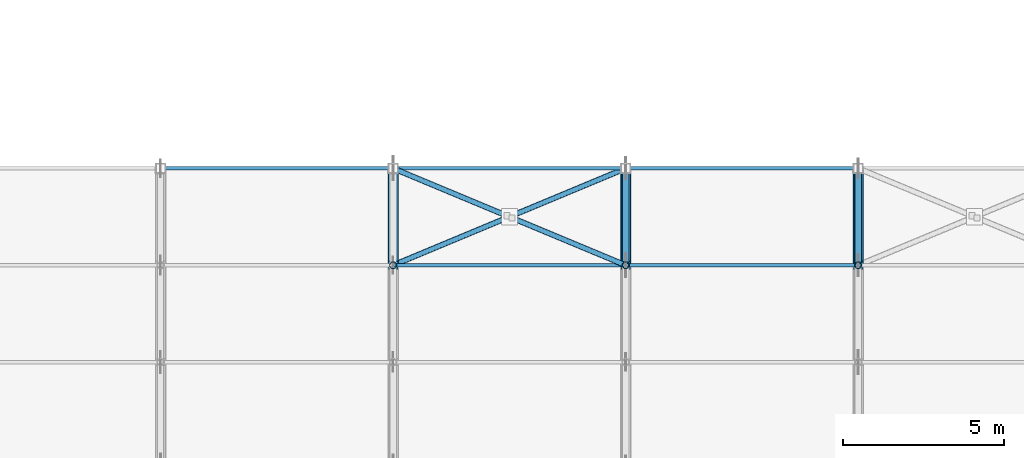
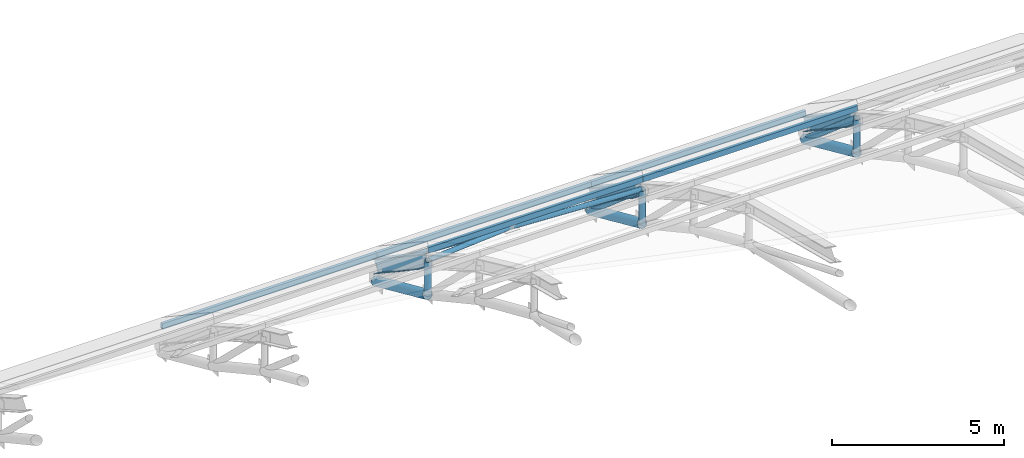
# One storey, part 25 of 63: 16 members, 3 beams.
"""IFC4 building model written with IfcOpenShell, lengths in metres."""

from ifc_helpers import new_model, si_unit, direction, frame, origin, origin_2d, place, context, subcontext, project, spatial, hollow_rectangle, hollow_circle, i_section, extrude, material, material_profile, profile_set, type_object, element, save


model = new_model("IFC4")

# Units and contexts
model_context = context("Model", 3, precision=1e-05, world=origin(), true_north=direction((0.0, 1.0)))
body_context = subcontext(model_context, "Body", "Model", "MODEL_VIEW")
ifc_project = project(units=[si_unit("LENGTHUNIT", "METRE"), si_unit("AREAUNIT", "SQUARE_METRE"), si_unit("VOLUMEUNIT", "CUBIC_METRE"), si_unit("PLANEANGLEUNIT", "RADIAN"), si_unit("MASSUNIT", "GRAM", prefix="KILO")], contexts=[model_context])

# Site, building, storey
site_placement = place(None, origin())
site = spatial("IfcSite", under=ifc_project, at=site_placement, CompositionType="ELEMENT")
building_placement = place(site_placement, origin())
building = spatial("IfcBuilding", under=site, at=building_placement, Name="Solvadek Multi-Sports Hall", CompositionType="ELEMENT")
storey_placement = place(building_placement, frame((0.0, 0.0, 19.199951171875)))
storey = spatial("IfcBuildingStorey", under=building, at=storey_placement, Name="RF", CompositionType="ELEMENT", Elevation=19.199951171875)

# Members
ifc_material_1 = material(Name="Steel E350 (350 MPa)", Category="steel")
ifc_material_profile_1 = material_profile(ifc_material_1, hollow_circle(Radius=0.084228515625, WallThickness=0.008056640625, at=origin_2d()), Name="CHS 168.3x8")
ifc_profile_set_1 = profile_set([ifc_material_profile_1], Name="Steel E350 (350 MPa)")
member_type_1 = type_object("IfcMemberType", Name="STR-BRC-CHS168", PredefinedType="BRACE", material=ifc_profile_set_1)
member_1_placement = place(storey_placement, frame((115.199951171875, 39.0, -1.545654296875), z_axis=(0.894028733366, 0.372514498511, -0.248888674542), x_axis=(-0.384617607118, 0.923075997031, 0.0)))
element("IfcMember", 1, at=member_1_placement, inside=storey, type_object=member_type_1, Name="V1 Roof Plan Brace #7", PredefinedType="BRACE", context=body_context, shape_type="SweptSolid", body=[
    extrude(hollow_circle(Radius=0.084228515625, WallThickness=0.008056640625, at=origin_2d()), origin(), (0.0, 0.0, 1.0), 8.053466796875),
])
member_2_placement = place(storey_placement, frame((115.199951171875, 42.0, -3.550048828125), z_axis=(0.894028850757, -0.372527532788, 0.248868743173), x_axis=(0.384629030944, 0.923071236988, 0.0)))
element("IfcMember", 2, at=member_2_placement, inside=storey, type_object=member_type_1, Name="V1 Roof Plan Half-Brace #8A", PredefinedType="BRACE", context=body_context, shape_type="SweptSolid", body=[
    extrude(hollow_circle(Radius=0.084228515625, WallThickness=0.008056640625, at=origin_2d()), origin(), (0.0, 0.0, 1.0), 3.934814453125),
])
member_3_placement = place(storey_placement, frame((118.88232421875, 40.4658203125, -2.52490234375), z_axis=(0.894016396206, -0.372548198419, 0.248882548944), x_axis=(0.384651776791, 0.923061758828, 0.0)))
element("IfcMember", 3, at=member_3_placement, inside=storey, type_object=member_type_1, Name="V1 Roof Plan Half-Brace #8B", PredefinedType="BRACE", context=body_context, shape_type="SweptSolid", body=[
    extrude(hollow_circle(Radius=0.084228515625, WallThickness=0.008056640625, at=origin_2d()), origin(), (0.0, 0.0, 1.0), 3.9345703125),
])
ifc_material_profile_2 = material_profile(ifc_material_1, hollow_circle(Radius=0.109619140625, WallThickness=0.010009765625, at=origin_2d()), Name="CHS 219.1x10")
ifc_profile_set_2 = profile_set([ifc_material_profile_2], Name="Steel E350 (350 MPa)")
member_type_2 = type_object("IfcMemberType", Name="STR-BRC-CHS219", PredefinedType="BRACE", material=ifc_profile_set_2)
for number, where, z_axis, x_axis, name in (
    (4, (115.199951171875, 39.0, -2.754150390625), (0.0, 0.0, 1.0), (1.0, 0.0, 0.0), "v1 Truss 5 Web Vertical 7"),
    (5, (122.39990234375, 39.0, -2.754150390625), (0.0, 0.0, 1.0), (1.0, 0.0, 0.0), "v1 Truss 6 Web Vertical 7"),
):
    element("IfcMember", number, at=place(storey_placement, frame(where, z_axis=z_axis, x_axis=x_axis)), inside=storey, type_object=member_type_2, Name=name, PredefinedType="BRACE", context=body_context, shape_type="SweptSolid", body=[
        extrude(hollow_circle(Radius=0.109619140625, WallThickness=0.010009765625, at=origin_2d()), origin(), (0.0, 0.0, 1.0), 1.20849609375),
    ])
member_4_placement = place(storey_placement, frame((122.39990234375, 39.0, -1.545654296875), z_axis=(0.0, 0.761413137307, -0.648266946818), x_axis=(-1.0, 0.0, 0.0)))
element("IfcMember", 6, at=member_4_placement, inside=storey, type_object=member_type_2, Name="v1 Truss 6 Web Diagonal 8", PredefinedType="BRACE", context=body_context, shape_type="SweptSolid", body=[
    extrude(hollow_circle(Radius=0.109619140625, WallThickness=0.010009765625, at=origin_2d()), origin(), (0.0, 0.0, 1.0), 3.93994140625),
])
member_5_placement = place(storey_placement, frame((129.60009765625, 39.0, -2.754150390625), z_axis=(0.0, 0.0, 1.0), x_axis=(1.0, 0.0, 0.0)))
element("IfcMember", 7, at=member_5_placement, inside=storey, type_object=member_type_2, Name="v1 Truss 7 Web Vertical 7", PredefinedType="BRACE", context=body_context, shape_type="SweptSolid", body=[
    extrude(hollow_circle(Radius=0.109619140625, WallThickness=0.010009765625, at=origin_2d()), origin(), (0.0, 0.0, 1.0), 1.20849609375),
])
member_6_placement = place(storey_placement, frame((129.60009765625, 39.0, -1.545654296875), z_axis=(0.0, 0.761413137307, -0.648266946818), x_axis=(-1.0, 0.0, 0.0)))
element("IfcMember", 8, at=member_6_placement, inside=storey, type_object=member_type_2, Name="v1 Truss 7 Web Diagonal 8", PredefinedType="BRACE", context=body_context, shape_type="SweptSolid", body=[
    extrude(hollow_circle(Radius=0.109619140625, WallThickness=0.010009765625, at=origin_2d()), origin(), (0.0, 0.0, 1.0), 3.93994140625),
])
ifc_material_profile_3 = material_profile(ifc_material_1, hollow_circle(Radius=0.161865234375, WallThickness=0.012451171875, at=origin_2d()), Name="CHS 323.9x12.5")
ifc_profile_set_3 = profile_set([ifc_material_profile_3], Name="Steel E350 (350 MPa)")
member_type_3 = type_object("IfcMemberType", Name="STR-CHD-CHS323", PredefinedType="CHORD", material=ifc_profile_set_3)
for number, where, z_axis, x_axis, name in (
    (9, (115.199951171875, 39.0, -2.754150390625), (0.0, 0.912409902676, -0.409277619104), (-1.0, 0.0, 0.0), "v1 Arched Truss 5 Bottom Chord 8"),
    (10, (122.39990234375, 39.0, -2.754150390625), (0.0, 0.912409902676, -0.409277619104), (-1.0, 0.0, 0.0), "v1 Arched Truss 6 Bottom Chord 8"),
    (11, (129.60009765625, 39.0, -2.754150390625), (0.0, 0.912409902676, -0.409277619104), (-1.0, 0.0, 0.0), "v1 Arched Truss 7 Bottom Chord 8"),
):
    element("IfcMember", number, at=place(storey_placement, frame(where, z_axis=z_axis, x_axis=x_axis)), inside=storey, type_object=member_type_3, Name=name, PredefinedType="CHORD", context=body_context, shape_type="SweptSolid", body=[
        extrude(hollow_circle(Radius=0.161865234375, WallThickness=0.012451171875, at=origin_2d()), origin(), (0.0, 0.0, 1.0), 3.2880859375),
    ])
ifc_material_2 = material(Name="Steel E250 (250 MPa)", Category="steel")
ifc_material_profile_4 = material_profile(ifc_material_2, hollow_rectangle(XDim=0.10009765625, YDim=0.199951171875, WallThickness=0.008056640625, at=origin_2d()), Name="RHS 200x100x8")
ifc_profile_set_4 = profile_set([ifc_material_profile_4], Name="Steel E250 (250 MPa)")
member_type_4 = type_object("IfcMemberType", Name="STR-PUR-RHS200", PredefinedType="PURLIN", material=ifc_profile_set_4)
for number, where, z_axis, x_axis, name in (
    (12, (108.0, 42.0, -3.17529296875), (1.0, 0.0, 0.0), (0.0, 1.0, 0.0), "V1 Roof Purlin #36"),
    (13, (115.199951171875, 39.0, -1.171142578125), (1.0, 0.0, 0.0), (0.0, 1.0, 0.0), "V1 Roof Purlin #44"),
    (14, (115.199951171875, 42.0, -3.17529296875), (1.0, 0.0, 0.0), (0.0, 1.0, 0.0), "V1 Roof Purlin #45"),
):
    element("IfcMember", number, at=place(storey_placement, frame(where, z_axis=z_axis, x_axis=x_axis)), inside=storey, type_object=member_type_4, Name=name, PredefinedType="PURLIN", context=body_context, shape_type="SweptSolid", body=[
        extrude(hollow_rectangle(XDim=0.10009765625, YDim=0.199951171875, WallThickness=0.008056640625, at=origin_2d()), origin(), (0.0, 0.0, 1.0), 7.199951171875),
    ])
for number, where, z_axis, x_axis, name in (
    (15, (122.39990234375, 39.0, -1.171142578125), (1.0, 0.0, 0.0), (0.0, 1.0, 0.0), "V1 Roof Purlin #53"),
    (16, (122.39990234375, 42.0, -3.17529296875), (1.0, 0.0, 0.0), (0.0, 1.0, 0.0), "V1 Roof Purlin #54"),
):
    element("IfcMember", number, at=place(storey_placement, frame(where, z_axis=z_axis, x_axis=x_axis)), inside=storey, type_object=member_type_4, Name=name, PredefinedType="PURLIN", context=body_context, shape_type="SweptSolid", body=[
        extrude(hollow_rectangle(XDim=0.10009765625, YDim=0.199951171875, WallThickness=0.008056640625, at=origin_2d()), origin(), (0.0, 0.0, 1.0), 7.2001953125),
    ])

# Beams
ifc_material_profile_5 = material_profile(ifc_material_1, i_section(OverallWidth=0.300048828125, OverallDepth=0.449951171875, WebThickness=0.013916015625, FlangeThickness=0.02587890625, at=origin_2d()), Name="WPB 450")
ifc_profile_set_5 = profile_set([ifc_material_profile_5], Name="Steel E350 (350 MPa)")
beam_type = type_object("IfcBeamType", Name="STR-TRS-WPB450", PredefinedType="USERDEFINED", material=ifc_profile_set_5)
for number, where, z_axis, x_axis, name in (
    (17, (115.199951171875, 39.0, -1.545654296875), (0.0, 0.831487713405, -0.55554314185), (-1.0, 0.0, 0.0), "v1 Arched Truss 5 Top Chord 8"),
    (18, (122.39990234375, 39.0, -1.545654296875), (0.0, 0.831487713405, -0.55554314185), (-1.0, 0.0, 0.0), "v1 Arched Truss 6 Top Chord 8"),
    (19, (129.60009765625, 39.0, -1.545654296875), (0.0, 0.831487713405, -0.55554314185), (-1.0, 0.0, 0.0), "v1 Arched Truss 7 Top Chord 8"),
):
    element("IfcBeam", number, at=place(storey_placement, frame(where, z_axis=z_axis, x_axis=x_axis)), inside=storey, type_object=beam_type, Name=name, ObjectType="ROOF TRUSS", PredefinedType="USERDEFINED", context=body_context, shape_type="SweptSolid", body=[
        extrude(i_section(OverallWidth=0.300048828125, OverallDepth=0.449951171875, WebThickness=0.013916015625, FlangeThickness=0.02587890625, at=origin_2d()), origin(), (0.0, 0.0, 1.0), 3.60791015625),
    ])

save(model, "model.ifc")
